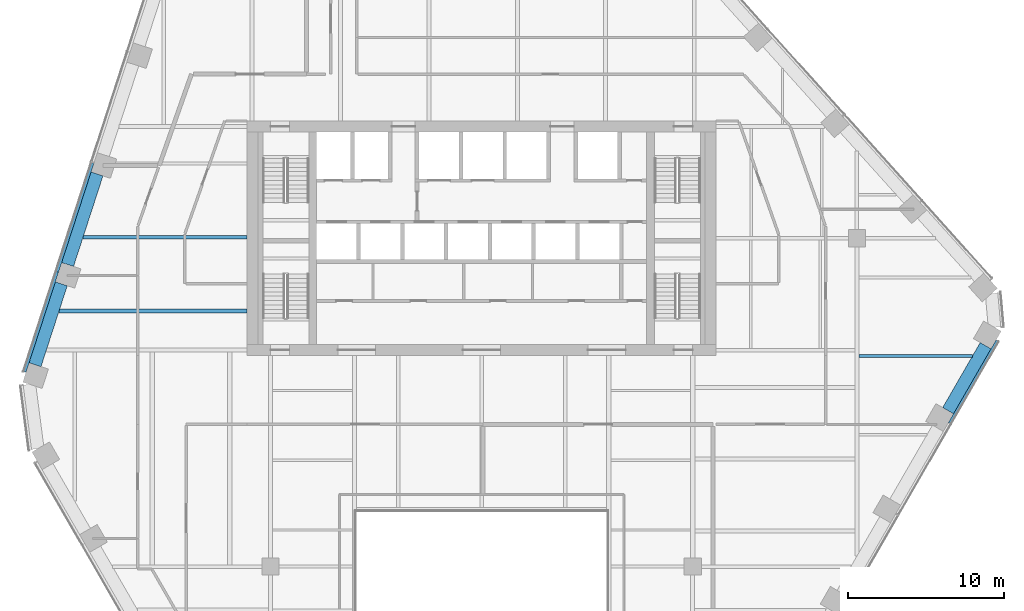
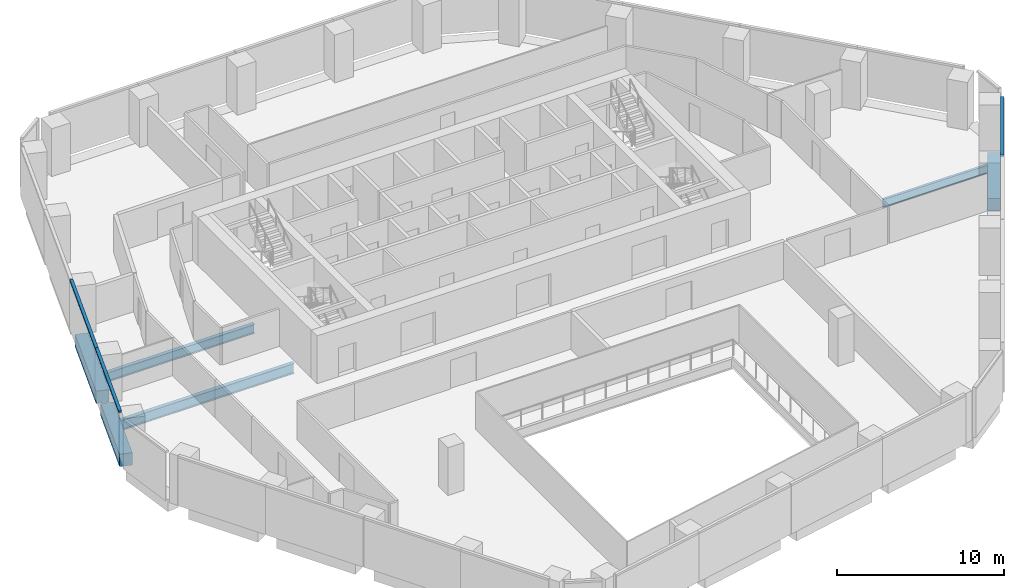
# One storey, part 6 of 16: 6 beams, 3 members, 2 elements without a shape of their own.
"""IFC4 building model written with IfcOpenShell, lengths in metres."""

from ifc_helpers import new_model, si_unit, direction, frame, origin, origin_2d, place, context, subcontext, project, spatial, rectangle, i_section, extrude, material, layer, layer_set, material_profile, profile_set, type_object, element, aggregate, save


model = new_model("IFC4")

# Units and contexts
model_context = context("Model", 3, precision=1e-05, world=origin(), true_north=direction((0.0, 1.0)))
body_context = subcontext(model_context, "Body", "Model", "MODEL_VIEW")
ifc_project = project(units=[si_unit("LENGTHUNIT", "METRE"), si_unit("AREAUNIT", "SQUARE_METRE"), si_unit("VOLUMEUNIT", "CUBIC_METRE"), si_unit("PLANEANGLEUNIT", "RADIAN"), si_unit("MASSUNIT", "GRAM", prefix="KILO")], contexts=[model_context])

# Site, building, storey
site_placement = place(None, origin())
site = spatial("IfcSite", under=ifc_project, at=site_placement, CompositionType="ELEMENT")
building_placement = place(site_placement, origin())
building = spatial("IfcBuilding", under=site, at=building_placement, Name="Isthmus Gate Tower", CompositionType="ELEMENT")
storey_placement = place(building_placement, frame((0.0, 0.0, 185.39990234375)))
storey = spatial("IfcBuildingStorey", under=building, at=storey_placement, Name="L46", CompositionType="ELEMENT", Elevation=185.39990234375)

# Curtain wall, members
ifc_material_1 = material(Name="Aluminium, pale champagne anodised", Category="aluminium")
ifc_layer = layer(ifc_material_1, 0.199951171875)
ifc_layer_set = layer_set([ifc_layer], Name="CW-1 UNITISED CURTAIN WALL 200 DEEP")
curtain_wall_type = type_object("IfcCurtainWallType", Name="CW-1 UNITISED CURTAIN WALL 200 DEEP", PredefinedType="NOTDEFINED", material=ifc_layer_set)
curtain_wall_1_placement = place(storey_placement, origin())
curtain_wall_1 = element("IfcCurtainWall", 1, at=curtain_wall_1_placement, inside=storey, type_object=curtain_wall_type, Name="CW-1 NW L46", PredefinedType="NOTDEFINED")
ifc_material_2 = material(Name="Aluminium, pale champagne anodised", Category="aluminium")
ifc_material_profile_1 = material_profile(ifc_material_2, rectangle(XDim=0.199951171875, YDim=0.139892578125, at=origin_2d()), Name="200x140")
ifc_profile_set_1 = profile_set([ifc_material_profile_1], Name="Aluminium, pale champagne anodised")
member_type = type_object("IfcMemberType", Name="CW-1 TRANSOM 200 X 140", PredefinedType="USERDEFINED", material=ifc_profile_set_1)
member_1_placement = place(storey_placement, frame((-24.896240234375, 12.33056640625, 3.580078125), z_axis=(-0.309025074527, -0.951053890857, 0.0), x_axis=(0.951053890857, -0.309025074527, 0.0)))
member_1 = element("IfcMember", 2, at=member_1_placement, type_object=member_type, Name="CW-1 transom", ObjectType="TRANSOM", PredefinedType="USERDEFINED", context=body_context, shape_type="SweptSolid", body=[
    extrude(rectangle(XDim=0.199951171875, YDim=0.139892578125, at=origin_2d()), origin(), (0.0, 0.0, 1.0), 7.330810546875),
])
member_2_placement = place(storey_placement, frame((-27.16162109375, 5.358642578125, 3.580078125), z_axis=(-0.309014822289, -0.951057222046, 0.0), x_axis=(0.951057222046, -0.309014822289, 0.0)))
member_2 = element("IfcMember", 3, at=member_2_placement, type_object=member_type, Name="CW-1 transom", ObjectType="TRANSOM", PredefinedType="USERDEFINED", context=body_context, shape_type="SweptSolid", body=[
    extrude(rectangle(XDim=0.199951171875, YDim=0.139892578125, at=origin_2d()), origin(), (0.0, 0.0, 1.0), 6.74072265625),
])
aggregate(curtain_wall_1, [member_1, member_2])

# Curtain wall, member
curtain_wall_2_placement = place(storey_placement, origin())
curtain_wall_2 = element("IfcCurtainWall", 4, at=curtain_wall_2_placement, inside=storey, type_object=curtain_wall_type, Name="CW-1 SE L46", PredefinedType="NOTDEFINED")
member_3_placement = place(storey_placement, frame((29.941162109375, -4.34033203125, 3.580078125), z_axis=(0.499991521122, 0.866030299012, 0.0), x_axis=(-0.866030299012, 0.499991521122, 0.0)))
member_3 = element("IfcMember", 5, at=member_3_placement, type_object=member_type, Name="CW-1 transom", ObjectType="TRANSOM", PredefinedType="USERDEFINED", context=body_context, shape_type="SweptSolid", body=[
    extrude(rectangle(XDim=0.199951171875, YDim=0.139892578125, at=origin_2d()), origin(), (0.0, 0.0, 1.0), 6.10009765625),
])
aggregate(curtain_wall_2, [member_3])

# Beams
ifc_material_3 = material(Name="Concrete f'c 60 MPa", Category="concrete")
ifc_material_profile_2 = material_profile(ifc_material_3, rectangle(XDim=0.800048828125, YDim=0.89990234375, at=origin_2d()), Name="RC 800X900")
ifc_profile_set_2 = profile_set([ifc_material_profile_2], Name="Concrete f'c 60 MPa")
beam_type_1 = type_object("IfcBeamType", Name="RC SPANDREL 800 X 900", PredefinedType="SPANDREL", material=ifc_profile_set_2)
beam_1_placement = place(storey_placement, frame((32.2333984375, 0.629638671875, -0.449951171875), z_axis=(-0.500017431331, -0.866015339567, 0.0), x_axis=(0.866015339567, -0.500017431331, 0.0)))
element("IfcBeam", 6, at=beam_1_placement, inside=storey, type_object=beam_type_1, Name="str-spandrel-L46-06", PredefinedType="SPANDREL", context=body_context, shape_type="SweptSolid", body=[
    extrude(rectangle(XDim=0.800048828125, YDim=0.89990234375, at=origin_2d()), origin(), (0.0, 0.0, 1.0), 4.800048828125),
])
beam_2_placement = place(storey_placement, frame((-28.568115234375, -0.588623046875, -0.449951171875), z_axis=(0.308989680586, 0.95106539065, 0.0), x_axis=(-0.95106539065, 0.308989680586, 0.0)))
element("IfcBeam", 7, at=beam_2_placement, inside=storey, type_object=beam_type_1, Name="str-spandrel-L46-21", PredefinedType="SPANDREL", context=body_context, shape_type="SweptSolid", body=[
    extrude(rectangle(XDim=0.800048828125, YDim=0.89990234375, at=origin_2d()), origin(), (0.0, 0.0, 1.0), 5.44091796875),
])
beam_3_placement = place(storey_placement, frame((-26.485107421875, 5.822265625, -0.449951171875), z_axis=(0.309003593002, 0.951060870561, 0.0), x_axis=(-0.951060870561, 0.309003593002, 0.0)))
element("IfcBeam", 8, at=beam_3_placement, inside=storey, type_object=beam_type_1, Name="str-spandrel-L46-22", PredefinedType="SPANDREL", context=body_context, shape_type="SweptSolid", body=[
    extrude(rectangle(XDim=0.800048828125, YDim=0.89990234375, at=origin_2d()), origin(), (0.0, 0.0, 1.0), 6.0908203125),
])
ifc_material_4 = material(Name="Structural steel ASTM A992 Gr 50", Category="steel")
ifc_material_profile_3 = material_profile(ifc_material_4, i_section(OverallWidth=0.177734375, OverallDepth=0.60009765625, WebThickness=0.009521484375, FlangeThickness=0.0126953125, at=origin_2d()), Name="W24X55")
ifc_profile_set_3 = profile_set([ifc_material_profile_3], Name="Structural steel ASTM A992 Gr 50")
beam_type_2 = type_object("IfcBeamType", Name="STEEL FLOOR BEAM W24X55", PredefinedType="JOIST", material=ifc_profile_set_3)
beam_4_placement = place(storey_placement, frame((24.13330078125, -0.037353515625, -0.449951171875), z_axis=(1.0, 0.0, 0.0), x_axis=(0.0, 1.0, 0.0)))
element("IfcBeam", 9, at=beam_4_placement, inside=storey, type_object=beam_type_2, Name="str-beam-L46-16-01", PredefinedType="JOIST", context=body_context, shape_type="SweptSolid", body=[
    extrude(i_section(OverallWidth=0.177734375, OverallDepth=0.60009765625, WebThickness=0.009521484375, FlangeThickness=0.0126953125, at=origin_2d()), origin(), (0.0, 0.0, 1.0), 7.2529296875),
])
ifc_material_5 = material(Name="Structural steel ASTM A992 Gr 50", Category="steel")
ifc_material_profile_4 = material_profile(ifc_material_5, i_section(OverallWidth=0.25390625, OverallDepth=0.679443359375, WebThickness=0.010986328125, FlangeThickness=0.015869140625, at=origin_2d()), Name="W27X84")
ifc_profile_set_4 = profile_set([ifc_material_profile_4], Name="Structural steel ASTM A992 Gr 50")
beam_type_3 = type_object("IfcBeamType", Name="STEEL FLOOR BEAM W27X84", PredefinedType="JOIST", material=ifc_profile_set_4)
beam_5_placement = place(storey_placement, frame((-25.498046875, 7.56591796875, -0.489501953125), z_axis=(1.0, 0.0, 0.0), x_axis=(0.0, 1.0, 0.0)))
element("IfcBeam", 10, at=beam_5_placement, inside=storey, type_object=beam_type_3, Name="str-beam-L46-01-01", PredefinedType="JOIST", context=body_context, shape_type="SweptSolid", body=[
    extrude(i_section(OverallWidth=0.25390625, OverallDepth=0.679443359375, WebThickness=0.010986328125, FlangeThickness=0.015869140625, at=origin_2d()), origin(), (0.0, 0.0, 1.0), 10.498046875),
])
ifc_material_6 = material(Name="Structural steel ASTM A992 Gr 50", Category="steel")
ifc_material_profile_5 = material_profile(ifc_material_6, i_section(OverallWidth=0.263427734375, OverallDepth=0.749267578125, WebThickness=0.0126953125, FlangeThickness=0.015869140625, at=origin_2d()), Name="W30X90")
ifc_profile_set_5 = profile_set([ifc_material_profile_5], Name="Structural steel ASTM A992 Gr 50")
beam_type_4 = type_object("IfcBeamType", Name="STEEL FLOOR BEAM W30X90", PredefinedType="JOIST", material=ifc_profile_set_5)
beam_6_placement = place(storey_placement, frame((-27.03271484375, 2.843017578125, -0.524658203125), z_axis=(1.0, 0.0, 0.0), x_axis=(0.0, 1.0, 0.0)))
element("IfcBeam", 11, at=beam_6_placement, inside=storey, type_object=beam_type_4, Name="str-beam-L46-01-00", PredefinedType="JOIST", context=body_context, shape_type="SweptSolid", body=[
    extrude(i_section(OverallWidth=0.263427734375, OverallDepth=0.749267578125, WebThickness=0.0126953125, FlangeThickness=0.015869140625, at=origin_2d()), origin(), (0.0, 0.0, 1.0), 12.03271484375),
])

save(model, "model.ifc")
